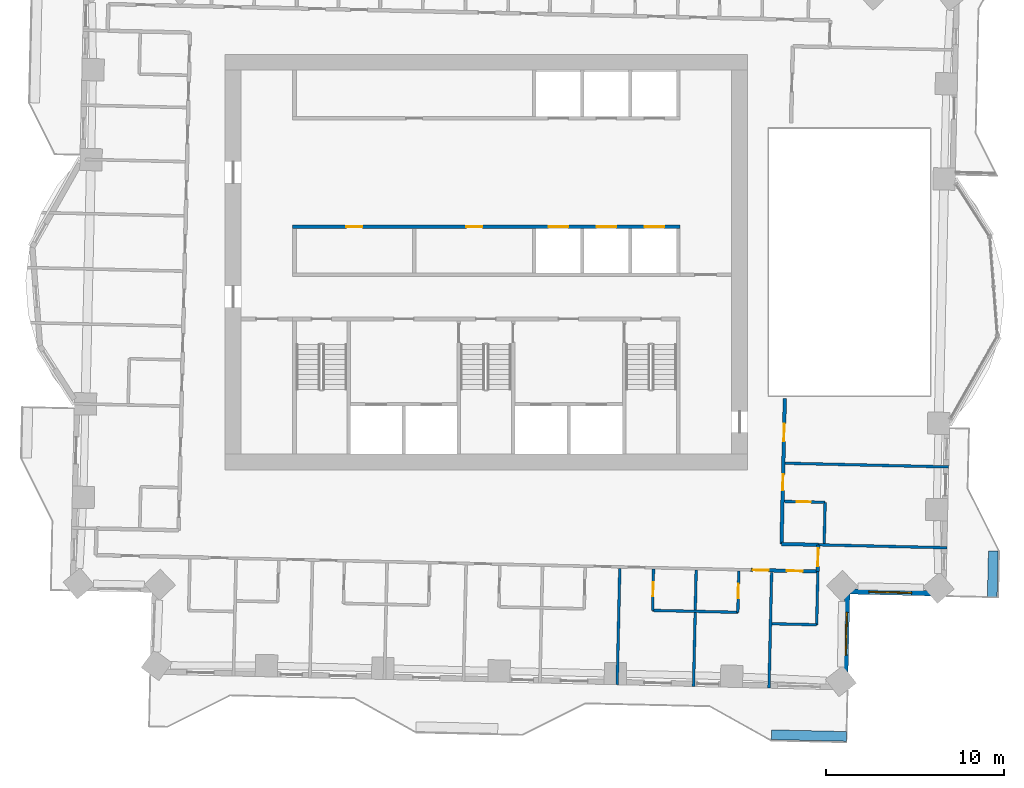
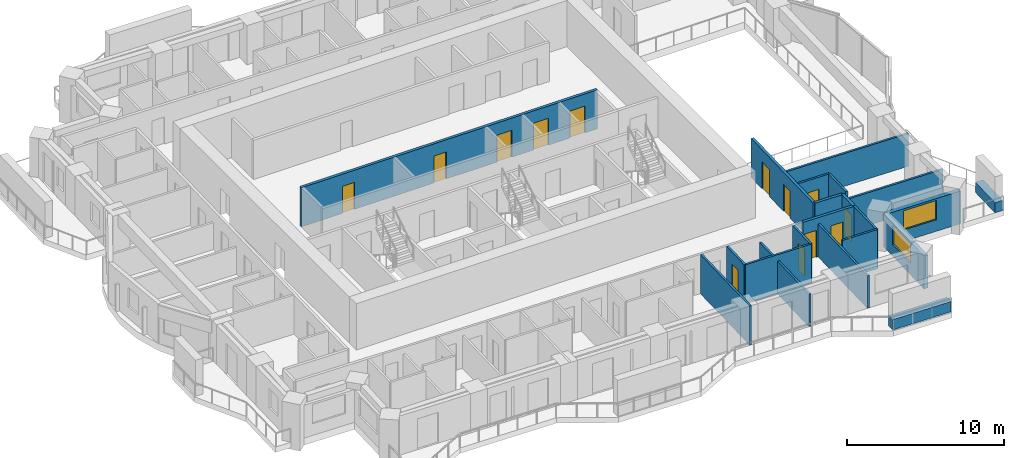
# One storey, part 7 of 15: 21 walls, 13 doors, 2 windows, 15 openings.
"""IFC4 building model written with IfcOpenShell, lengths in metres."""

from ifc_helpers import new_model, si_unit, direction, frame, frame_2d, origin, place, context, subcontext, project, spatial, rectangle, extrude, material, layer, layer_set, type_object, element, fill, save


model = new_model("IFC4")

# Units and contexts
model_context = context("Model", 3, precision=1e-05, world=origin(), true_north=direction((0.0, 1.0)))
body_context = subcontext(model_context, "Body", "Model", "MODEL_VIEW")
ifc_project = project(units=[si_unit("LENGTHUNIT", "METRE"), si_unit("AREAUNIT", "SQUARE_METRE"), si_unit("VOLUMEUNIT", "CUBIC_METRE"), si_unit("PLANEANGLEUNIT", "RADIAN"), si_unit("MASSUNIT", "GRAM", prefix="KILO")], contexts=[model_context])

# Site, building, storey
site_placement = place(None, origin())
site = spatial("IfcSite", under=ifc_project, at=site_placement, CompositionType="ELEMENT")
building_placement = place(site_placement, origin())
building = spatial("IfcBuilding", under=site, at=building_placement, Name="Mangrove Gate Tower", CompositionType="ELEMENT")
storey_placement = place(building_placement, frame((0.0, 0.0, 156.300048828125)))
storey = spatial("IfcBuildingStorey", under=building, at=storey_placement, Name="L39", CompositionType="ELEMENT", Elevation=156.300048828125)

# Wall, openings, doors
ifc_material_1 = material(Name="Concrete C60/75", Category="concrete")
ifc_layer_1 = layer(ifc_material_1, 0.199951171875)
ifc_layer_set_1 = layer_set([ifc_layer_1], Name="Core shaft wall 200 C60/75")
wall_type_1 = type_object("IfcWallType", Name="Core shaft wall 200 C60/75", PredefinedType="SHEAR", material=ifc_layer_set_1)
wall_1_placement = place(storey_placement, frame((-10.89990234375, 2.0, 0.0), z_axis=(0.0, 0.0, 1.0), x_axis=(1.0, 0.0, 0.0)))
wall_1 = element("IfcWall", 1, at=wall_1_placement, inside=storey, type_object=wall_type_1, Name="WALL-L39-CORE-7", PredefinedType="SHEAR", context=body_context, shape_type="SweptSolid", body=[
    extrude(rectangle(XDim=21.7998046875, YDim=0.199951171875, at=frame_2d((10.89990234375, 0.0))), origin(), (0.0, 0.0, 1.0), 3.050048828125),
])
opening_1_placement = place(wall_1_placement, frame((14.39990234375, 0.0, 0.0)))
opening_1 = element("IfcOpeningElement", 2, at=opening_1_placement, cuts=wall_1, Name="Opening LD", PredefinedType="OPENING", context=body_context, shape_type="SweptSolid", body=[
    extrude(rectangle(XDim=1.10009765625, YDim=2.10009765625, at=frame_2d((0.550048828125, 1.050048828125))), frame((0.0, 0.10986328125, 0.0), z_axis=(0.0, -1.0, 0.0), x_axis=(1.0, 0.0, 0.0)), (0.0, 0.0, 1.0), 0.219970703125),
])
opening_2_placement = place(wall_1_placement, frame((17.10009765625, 0.0, 0.0)))
opening_2 = element("IfcOpeningElement", 3, at=opening_2_placement, cuts=wall_1, Name="Opening LD", PredefinedType="OPENING", context=body_context, shape_type="SweptSolid", body=[
    extrude(rectangle(XDim=1.10009765625, YDim=2.10009765625, at=frame_2d((0.550048828125, 1.050048828125))), frame((0.0, 0.10986328125, 0.0), z_axis=(0.0, -1.0, 0.0), x_axis=(1.0, 0.0, 0.0)), (0.0, 0.0, 1.0), 0.219970703125),
])
opening_3_placement = place(wall_1_placement, frame((19.800048828125, 0.0, 0.0)))
opening_3 = element("IfcOpeningElement", 4, at=opening_3_placement, cuts=wall_1, Name="Opening LD", PredefinedType="OPENING", context=body_context, shape_type="SweptSolid", body=[
    extrude(rectangle(XDim=1.10009765625, YDim=2.10009765625, at=frame_2d((0.550048828125, 1.050048828125))), frame((0.0, 0.10986328125, 0.0), z_axis=(0.0, -1.0, 0.0), x_axis=(1.0, 0.0, 0.0)), (0.0, 0.0, 1.0), 0.219970703125),
])
opening_4_placement = place(wall_1_placement, frame((3.02490234375, 0.0, 0.0)))
opening_4 = element("IfcOpeningElement", 5, at=opening_4_placement, cuts=wall_1, Name="Opening KD", PredefinedType="OPENING", context=body_context, shape_type="SweptSolid", body=[
    extrude(rectangle(XDim=0.89990234375, YDim=2.10009765625, at=frame_2d((0.449951171875, 1.050048828125))), frame((0.0, 0.10986328125, 0.0), z_axis=(0.0, -1.0, 0.0), x_axis=(1.0, 0.0, 0.0)), (0.0, 0.0, 1.0), 0.219970703125),
])
opening_5_placement = place(wall_1_placement, frame((9.77490234375, 0.0, 0.0)))
opening_5 = element("IfcOpeningElement", 6, at=opening_5_placement, cuts=wall_1, Name="Opening KD", PredefinedType="OPENING", context=body_context, shape_type="SweptSolid", body=[
    extrude(rectangle(XDim=0.89990234375, YDim=2.10009765625, at=frame_2d((0.449951171875, 1.050048828125))), frame((0.0, 0.10986328125, 0.0), z_axis=(0.0, -1.0, 0.0), x_axis=(1.0, 0.0, 0.0)), (0.0, 0.0, 1.0), 0.219970703125),
])
ifc_material_2 = material(Name="Fire-rated steel door set", Category="steel")
door_type_1 = type_object("IfcDoorType", Name="Core room door FD30S 900x2100", OperationType="SINGLE_SWING_RIGHT", PredefinedType="DOOR", material=ifc_material_2)
door_1_placement = place(opening_4_placement, origin())
door_1 = element("IfcDoor", 7, at=door_1_placement, inside=storey, type_object=door_type_1, Name="Core room door Pantry store", OperationType="SINGLE_SWING_RIGHT", OverallHeight=2.10009765625, OverallWidth=0.89990234375, PredefinedType="DOOR", context=body_context, shape_type="SweptSolid", body=[
    extrude(rectangle(XDim=0.89990234375, YDim=2.10009765625, at=frame_2d((0.449951171875, 1.050048828125))), frame((0.0, 0.02490234375, 0.0), z_axis=(0.0, -1.0, 0.0), x_axis=(1.0, 0.0, 0.0)), (0.0, 0.0, 1.0), 0.050048828125),
])
fill(opening_4, door_1)
door_2_placement = place(opening_5_placement, origin())
door_2 = element("IfcDoor", 8, at=door_2_placement, inside=storey, type_object=door_type_1, Name="Core room door Cleaner's store", OperationType="SINGLE_SWING_RIGHT", OverallHeight=2.10009765625, OverallWidth=0.89990234375, PredefinedType="DOOR", context=body_context, shape_type="SweptSolid", body=[
    extrude(rectangle(XDim=0.89990234375, YDim=2.10009765625, at=frame_2d((0.449951171875, 1.050048828125))), frame((0.0, 0.02490234375, 0.0), z_axis=(0.0, -1.0, 0.0), x_axis=(1.0, 0.0, 0.0)), (0.0, 0.0, 1.0), 0.050048828125),
])
fill(opening_5, door_2)
ifc_material_3 = material(Name="Stainless steel 316", Category="steel")
door_type_2 = type_object("IfcDoorType", Name="Lift landing door 1100x2100", OperationType="SLIDING_TO_LEFT", PredefinedType="DOOR", material=ifc_material_3)
door_3_placement = place(opening_1_placement, origin())
door_3 = element("IfcDoor", 9, at=door_3_placement, inside=storey, type_object=door_type_2, Name="Landing door LD M01", OperationType="SLIDING_TO_LEFT", OverallHeight=2.10009765625, OverallWidth=1.10009765625, PredefinedType="DOOR", context=body_context, shape_type="SweptSolid", body=[
    extrude(rectangle(XDim=1.10009765625, YDim=2.10009765625, at=frame_2d((0.550048828125, 1.050048828125))), frame((0.0, 0.02490234375, 0.0), z_axis=(0.0, -1.0, 0.0), x_axis=(1.0, 0.0, 0.0)), (0.0, 0.0, 1.0), 0.050048828125),
])
fill(opening_1, door_3)
door_4_placement = place(opening_2_placement, origin())
door_4 = element("IfcDoor", 10, at=door_4_placement, inside=storey, type_object=door_type_2, Name="Landing door LD M02", OperationType="SLIDING_TO_LEFT", OverallHeight=2.10009765625, OverallWidth=1.10009765625, PredefinedType="DOOR", context=body_context, shape_type="SweptSolid", body=[
    extrude(rectangle(XDim=1.10009765625, YDim=2.10009765625, at=frame_2d((0.550048828125, 1.050048828125))), frame((0.0, 0.02490234375, 0.0), z_axis=(0.0, -1.0, 0.0), x_axis=(1.0, 0.0, 0.0)), (0.0, 0.0, 1.0), 0.050048828125),
])
fill(opening_2, door_4)
door_5_placement = place(opening_3_placement, origin())
door_5 = element("IfcDoor", 11, at=door_5_placement, inside=storey, type_object=door_type_2, Name="Landing door LD M03", OperationType="SLIDING_TO_LEFT", OverallHeight=2.10009765625, OverallWidth=1.10009765625, PredefinedType="DOOR", context=body_context, shape_type="SweptSolid", body=[
    extrude(rectangle(XDim=1.10009765625, YDim=2.10009765625, at=frame_2d((0.550048828125, 1.050048828125))), frame((0.0, 0.02490234375, 0.0), z_axis=(0.0, -1.0, 0.0), x_axis=(1.0, 0.0, 0.0)), (0.0, 0.0, 1.0), 0.050048828125),
])
fill(opening_3, door_5)

# Wall, opening, door
ifc_material_4 = material(Name="Gypsum board on steel stud, EI 60", Category="steel")
ifc_layer_2 = layer(ifc_material_4, 0.199951171875)
ifc_layer_set_2 = layer_set([ifc_layer_2], Name="Corridor wall EI 60")
wall_type_2 = type_object("IfcWallType", Name="Corridor wall EI 60", PredefinedType="PARTITIONING", material=ifc_layer_set_2)
wall_2_placement = place(storey_placement, frame((18.64697265625, -17.4150390625, 0.0), z_axis=(0.0, 0.0, 1.0), x_axis=(0.022617910375, 0.999744182344, 0.0)))
wall_2 = element("IfcWall", 12, at=wall_2_placement, inside=storey, type_object=wall_type_2, Name="WALL-L39-025", PredefinedType="PARTITIONING", context=body_context, shape_type="SweptSolid", body=[
    extrude(rectangle(XDim=1.50048828125, YDim=0.199951171875, at=frame_2d((0.750244140625, 0.0))), origin(), (0.0, 0.0, 1.0), 3.050048828125),
])
opening_6_placement = place(wall_2_placement, frame((0.300048828125, 0.0, 0.0)))
opening_6 = element("IfcOpeningElement", 13, at=opening_6_placement, cuts=wall_2, Name="Opening AD", PredefinedType="OPENING", context=body_context, shape_type="SweptSolid", body=[
    extrude(rectangle(XDim=1.0, YDim=2.10009765625, at=frame_2d((0.5, 1.050048828125))), frame((0.0, 0.10986328125, 0.0), z_axis=(0.0, -1.0, 0.0), x_axis=(1.0, 0.0, 0.0)), (0.0, 0.0, 1.0), 0.219970703125),
])
ifc_material_5 = material(Name="Timber door leaf", Category="wood")
door_type_3 = type_object("IfcDoorType", Name="Amenity door 1000", OperationType="SINGLE_SWING_LEFT", PredefinedType="DOOR", material=ifc_material_5)
door_6_placement = place(opening_6_placement, origin())
door_6 = element("IfcDoor", 14, at=door_6_placement, inside=storey, type_object=door_type_3, Name="DOOR-L39-STU-c3a", OperationType="SINGLE_SWING_RIGHT", OverallHeight=2.10009765625, OverallWidth=1.0, PredefinedType="DOOR", context=body_context, shape_type="SweptSolid", body=[
    extrude(rectangle(XDim=1.0, YDim=2.10009765625, at=frame_2d((0.5, 1.050048828125))), frame((0.0, 0.02490234375, 0.0), z_axis=(0.0, -1.0, 0.0), x_axis=(1.0, 0.0, 0.0)), (0.0, 0.0, 1.0), 0.050048828125),
])
fill(opening_6, door_6)

# Wall, openings, doors
wall_3_placement = place(storey_placement, frame((14.8798828125, -17.324951171875, 0.0), z_axis=(0.0, 0.0, 1.0), x_axis=(0.999739622, -0.022818593369, 0.0)))
wall_3 = element("IfcWall", 15, at=wall_3_placement, inside=storey, type_object=wall_type_2, Name="WALL-L39-028", PredefinedType="PARTITIONING", context=body_context, shape_type="SweptSolid", body=[
    extrude(rectangle(XDim=3.76611328125, YDim=0.199951171875, at=frame_2d((1.883056640625, 0.0))), origin(), (0.0, 0.0, 1.0), 3.050048828125),
])
opening_7_placement = place(wall_3_placement, frame((0.10009765625, 0.0, 0.0)))
opening_7 = element("IfcOpeningElement", 16, at=opening_7_placement, cuts=wall_3, Name="Opening BD", PredefinedType="OPENING", context=body_context, shape_type="SweptSolid", body=[
    extrude(rectangle(XDim=0.89990234375, YDim=2.10009765625, at=frame_2d((0.449951171875, 1.050048828125))), frame((0.0, 0.10986328125, 0.0), z_axis=(0.0, -1.0, 0.0), x_axis=(1.0, 0.0, 0.0)), (0.0, 0.0, 1.0), 0.219970703125),
])
opening_8_placement = place(wall_3_placement, frame((2.028076171875, 0.0, 0.0)))
opening_8 = element("IfcOpeningElement", 17, at=opening_8_placement, cuts=wall_3, Name="Opening SD", PredefinedType="OPENING", context=body_context, shape_type="SweptSolid", body=[
    extrude(rectangle(XDim=0.89990234375, YDim=2.10009765625, at=frame_2d((0.449951171875, 1.050048828125))), frame((0.0, 0.10986328125, 0.0), z_axis=(0.0, -1.0, 0.0), x_axis=(1.0, 0.0, 0.0)), (0.0, 0.0, 1.0), 0.219970703125),
])
ifc_material_6 = material(Name="Timber door leaf", Category="wood")
door_type_4 = type_object("IfcDoorType", Name="Bedroom door 900", OperationType="SINGLE_SWING_LEFT", PredefinedType="DOOR", material=ifc_material_6)
door_7_placement = place(opening_7_placement, origin())
door_7 = element("IfcDoor", 18, at=door_7_placement, inside=storey, type_object=door_type_4, Name="DOOR-L39-BED-c307", OperationType="SINGLE_SWING_LEFT", OverallHeight=2.10009765625, OverallWidth=0.89990234375, PredefinedType="DOOR", context=body_context, shape_type="SweptSolid", body=[
    extrude(rectangle(XDim=0.89990234375, YDim=2.10009765625, at=frame_2d((0.449951171875, 1.050048828125))), frame((0.0, 0.02490234375, 0.0), z_axis=(0.0, -1.0, 0.0), x_axis=(1.0, 0.0, 0.0)), (0.0, 0.0, 1.0), 0.050048828125),
])
fill(opening_7, door_7)
ifc_material_7 = material(Name="Timber door leaf", Category="wood")
door_type_5 = type_object("IfcDoorType", Name="Service room door 900", OperationType="SINGLE_SWING_LEFT", PredefinedType="DOOR", material=ifc_material_7)
door_8_placement = place(opening_8_placement, origin())
door_8 = element("IfcDoor", 19, at=door_8_placement, inside=storey, type_object=door_type_5, Name="DOOR-L39-AWC-c3a", OperationType="SINGLE_SWING_RIGHT", OverallHeight=2.10009765625, OverallWidth=0.89990234375, PredefinedType="DOOR", context=body_context, shape_type="SweptSolid", body=[
    extrude(rectangle(XDim=0.89990234375, YDim=2.10009765625, at=frame_2d((0.449951171875, 1.050048828125))), frame((0.0, 0.02490234375, 0.0), z_axis=(0.0, -1.0, 0.0), x_axis=(1.0, 0.0, 0.0)), (0.0, 0.0, 1.0), 0.050048828125),
])
fill(opening_8, door_8)

wall_4_placement = place(storey_placement, frame((16.611083984375, -15.867919921875, 0.0), z_axis=(0.0, 0.0, 1.0), x_axis=(0.022698399288, 0.999742358145, 0.0)))
wall_4 = element("IfcWall", 20, at=wall_4_placement, inside=storey, type_object=wall_type_2, Name="WALL-L39-031", PredefinedType="PARTITIONING", context=body_context, shape_type="SweptSolid", body=[
    extrude(rectangle(XDim=8.196044921875, YDim=0.199951171875, at=frame_2d((4.09814453125, 0.0))), origin(), (0.0, 0.0, 1.0), 3.050048828125),
])
opening_9_placement = place(wall_4_placement, frame((3.02490234375, 0.0, 0.0)))
opening_9 = element("IfcOpeningElement", 21, at=opening_9_placement, cuts=wall_4, Name="Opening BD", PredefinedType="OPENING", context=body_context, shape_type="SweptSolid", body=[
    extrude(rectangle(XDim=0.89990234375, YDim=2.10009765625, at=frame_2d((0.449951171875, 1.050048828125))), frame((0.0, 0.10986328125, 0.0), z_axis=(0.0, -1.0, 0.0), x_axis=(1.0, 0.0, 0.0)), (0.0, 0.0, 1.0), 0.219970703125),
])
opening_10_placement = place(wall_4_placement, frame((5.785888671875, 0.0, 0.0)))
opening_10 = element("IfcOpeningElement", 22, at=opening_10_placement, cuts=wall_4, Name="Opening AD", PredefinedType="OPENING", context=body_context, shape_type="SweptSolid", body=[
    extrude(rectangle(XDim=1.0, YDim=2.10009765625, at=frame_2d((0.5, 1.050048828125))), frame((0.0, 0.10986328125, 0.0), z_axis=(0.0, -1.0, 0.0), x_axis=(1.0, 0.0, 0.0)), (0.0, 0.0, 1.0), 0.219970703125),
])
door_9_placement = place(opening_10_placement, origin())
door_9 = element("IfcDoor", 23, at=door_9_placement, inside=storey, type_object=door_type_3, Name="DOOR-L39-STU-c3b", OperationType="SINGLE_SWING_LEFT", OverallHeight=2.10009765625, OverallWidth=1.0, PredefinedType="DOOR", context=body_context, shape_type="SweptSolid", body=[
    extrude(rectangle(XDim=1.0, YDim=2.10009765625, at=frame_2d((0.5, 1.050048828125))), frame((0.0, 0.02490234375, 0.0), z_axis=(0.0, -1.0, 0.0), x_axis=(1.0, 0.0, 0.0)), (0.0, 0.0, 1.0), 0.050048828125),
])
fill(opening_10, door_9)
door_10_placement = place(opening_9_placement, origin())
door_10 = element("IfcDoor", 24, at=door_10_placement, inside=storey, type_object=door_type_4, Name="DOOR-L39-BED-c308", OperationType="SINGLE_SWING_RIGHT", OverallHeight=2.10009765625, OverallWidth=0.89990234375, PredefinedType="DOOR", context=body_context, shape_type="SweptSolid", body=[
    extrude(rectangle(XDim=0.89990234375, YDim=2.10009765625, at=frame_2d((0.449951171875, 1.050048828125))), frame((0.0, 0.02490234375, 0.0), z_axis=(0.0, -1.0, 0.0), x_axis=(1.0, 0.0, 0.0)), (0.0, 0.0, 1.0), 0.050048828125),
])
fill(opening_9, door_10)

# Wall
wall_5_placement = place(storey_placement, frame((16.612060546875, -15.864013671875, 0.0), z_axis=(0.0, 0.0, 1.0), x_axis=(0.999742931749, -0.02267312106, 0.0)))
element("IfcWall", 25, at=wall_5_placement, inside=storey, type_object=wall_type_2, Name="WALL-L39-035", PredefinedType="PARTITIONING", context=body_context, shape_type="SweptSolid", body=[
    extrude(rectangle(XDim=2.0673828125, YDim=0.199951171875, at=frame_2d((1.03369140625, 0.0))), origin(), (0.0, 0.0, 1.0), 3.050048828125),
])

# Wall, opening, window
ifc_material_8 = material(Name="Limestone", Category="masonry")
ifc_layer_3 = layer(ifc_material_8, 0.0400390625, Name="Limestone cladding")
ifc_material_9 = material(Name="Ventilated air gap")
ifc_layer_4 = layer(ifc_material_9, 0.0400390625, Name="Ventilated cavity")
ifc_material_10 = material(Name="Mineral wool insulation")
ifc_layer_5 = layer(ifc_material_10, 0.06005859375, Name="Insulation")
ifc_material_11 = material(Name="Breather membrane")
ifc_layer_6 = layer(ifc_material_11, 0.001953125, Name="Breather membrane")
ifc_material_12 = material(Name="Concrete C20/25 blockwork", Category="masonry")
ifc_layer_7 = layer(ifc_material_12, 0.14990234375, Name="Blockwork backing wall")
ifc_material_13 = material(Name="Gypsum plaster")
ifc_layer_8 = layer(ifc_material_13, 0.008056640625, Name="Internal plaster")
ifc_layer_set_3 = layer_set([ifc_layer_3, ifc_layer_4, ifc_layer_5, ifc_layer_6, ifc_layer_7, ifc_layer_8], Name="External wall 300 limestone cladding")
wall_type_3 = type_object("IfcWallType", Name="External wall 300 limestone cladding", PredefinedType="SOLIDWALL", material=ifc_layer_set_3)
wall_6_placement = place(storey_placement, frame((20.18896484375, -23.927001953125, 0.0), z_axis=(0.0, 0.0, 1.0), x_axis=(0.022789195272, 0.999740292565, 0.0)))
wall_6 = element("IfcWall", 26, at=wall_6_placement, inside=storey, type_object=wall_type_3, Name="WALL-L39-E14", PredefinedType="SOLIDWALL", context=body_context, shape_type="SweptSolid", body=[
    extrude(rectangle(XDim=5.3994140625, YDim=0.300048828125, at=frame_2d((2.69970703125, 0.0))), origin(), (0.0, 0.0, 1.0), 2.550048828125),
])
opening_11_placement = place(wall_6_placement, frame((1.81005859375, 0.0, 0.89990234375)))
opening_11 = element("IfcOpeningElement", 27, at=opening_11_placement, cuts=wall_6, Name="Opening W2", PredefinedType="OPENING", context=body_context, shape_type="SweptSolid", body=[
    extrude(rectangle(XDim=2.39990234375, YDim=1.5, at=frame_2d((1.199951171875, 0.75))), frame((0.0, 0.159912109375, 0.0), z_axis=(0.0, -1.0, 0.0), x_axis=(1.0, 0.0, 0.0)), (0.0, 0.0, 1.0), 0.320068359375),
])
ifc_material_14 = material(Name="Aluminium frame with double-glazed low-e glass", Category="aluminium")
window_type = type_object("IfcWindowType", Name="Corner room window 2400x1500", PartitioningType="DOUBLE_PANEL_VERTICAL", PredefinedType="WINDOW", material=ifc_material_14)
window_1_placement = place(opening_11_placement, origin())
window_1 = element("IfcWindow", 28, at=window_1_placement, inside=storey, type_object=window_type, Name="WIN-L39-E14-1", OverallHeight=1.5, OverallWidth=2.39990234375, PartitioningType="DOUBLE_PANEL_VERTICAL", PredefinedType="WINDOW", context=body_context, shape_type="SweptSolid", body=[
    extrude(rectangle(XDim=2.39990234375, YDim=1.5, at=frame_2d((1.199951171875, 0.75))), frame((0.0, 0.030029296875, 0.0), z_axis=(0.0, -1.0, 0.0), x_axis=(1.0, 0.0, 0.0)), (0.0, 0.0, 1.0), 0.06005859375),
])
fill(opening_11, window_1)

wall_7_placement = place(storey_placement, frame((20.31201171875, -18.529052734375, 0.0), z_axis=(0.0, 0.0, 1.0), x_axis=(0.999745417973, -0.02256322766, 0.0)))
wall_7 = element("IfcWall", 29, at=wall_7_placement, inside=storey, type_object=wall_type_3, Name="WALL-L39-S15", PredefinedType="SOLIDWALL", context=body_context, shape_type="SweptSolid", body=[
    extrude(rectangle(XDim=5.3994140625, YDim=0.300048828125, at=frame_2d((2.69970703125, 0.0))), origin(), (0.0, 0.0, 1.0), 2.550048828125),
])
opening_12_placement = place(wall_7_placement, frame((1.219970703125, 0.0, 0.89990234375)))
opening_12 = element("IfcOpeningElement", 30, at=opening_12_placement, cuts=wall_7, Name="Opening W2", PredefinedType="OPENING", context=body_context, shape_type="SweptSolid", body=[
    extrude(rectangle(XDim=2.39990234375, YDim=1.5, at=frame_2d((1.199951171875, 0.75))), frame((0.0, 0.159912109375, 0.0), z_axis=(0.0, -1.0, 0.0), x_axis=(1.0, 0.0, 0.0)), (0.0, 0.0, 1.0), 0.320068359375),
])
window_2_placement = place(opening_12_placement, origin())
window_2 = element("IfcWindow", 31, at=window_2_placement, inside=storey, type_object=window_type, Name="WIN-L39-S15-1", OverallHeight=1.5, OverallWidth=2.39990234375, PartitioningType="DOUBLE_PANEL_VERTICAL", PredefinedType="WINDOW", context=body_context, shape_type="SweptSolid", body=[
    extrude(rectangle(XDim=2.39990234375, YDim=1.5, at=frame_2d((1.199951171875, 0.75))), frame((0.0, 0.030029296875, 0.0), z_axis=(0.0, -1.0, 0.0), x_axis=(1.0, 0.0, 0.0)), (0.0, 0.0, 1.0), 0.06005859375),
])
fill(opening_12, window_2)

# Walls
ifc_material_15 = material(Name="Gypsum board on steel stud, EI 60", Category="steel")
ifc_layer_9 = layer(ifc_material_15, 0.14990234375)
ifc_layer_set_4 = layer_set([ifc_layer_9], Name="Party wall 150 EI 60")
wall_type_4 = type_object("IfcWallType", Name="Party wall 150 EI 60", PredefinedType="PARTITIONING", material=ifc_layer_set_4)
wall_8_placement = place(storey_placement, frame((7.35888671875, -23.785888671875, 0.0), z_axis=(0.0, 0.0, 1.0), x_axis=(0.022772202332, 0.999740679777, 0.0)))
element("IfcWall", 32, at=wall_8_placement, inside=storey, type_object=wall_type_4, Name="WALL-L39-006", PredefinedType="PARTITIONING", context=body_context, shape_type="SweptSolid", body=[
    extrude(rectangle(XDim=6.550537109375, YDim=0.14990234375, at=frame_2d((3.275390625, 0.0))), origin(), (0.0, 0.0, 1.0), 3.050048828125),
])
wall_9_placement = place(storey_placement, frame((11.657958984375, -23.884033203125, 0.0), z_axis=(0.0, 0.0, 1.0), x_axis=(0.022734104141, 0.999741546855, 0.0)))
element("IfcWall", 33, at=wall_9_placement, inside=storey, type_object=wall_type_4, Name="WALL-L39-007", PredefinedType="PARTITIONING", context=body_context, shape_type="SweptSolid", body=[
    extrude(rectangle(XDim=6.55078125, YDim=0.14990234375, at=frame_2d((3.275390625, 0.0))), origin(), (0.0, 0.0, 1.0), 2.550048828125),
])
wall_10_placement = place(storey_placement, frame((15.906982421875, -23.97998046875, 0.0), z_axis=(0.0, 0.0, 1.0), x_axis=(0.022672114006, 0.999742954587, 0.0)))
element("IfcWall", 34, at=wall_10_placement, inside=storey, type_object=wall_type_4, Name="WALL-L39-008", PredefinedType="PARTITIONING", context=body_context, shape_type="SweptSolid", body=[
    extrude(rectangle(XDim=6.525634765625, YDim=0.14990234375, at=frame_2d((3.2626953125, 0.0))), origin(), (0.0, 0.0, 1.0), 2.550048828125),
])
wall_11_placement = place(storey_placement, frame((18.589111328125, -20.4140625, 0.0), z_axis=(0.0, 0.0, 1.0), x_axis=(0.022625271604, 0.999744015778, 0.0)))
element("IfcWall", 35, at=wall_11_placement, inside=storey, type_object=wall_type_4, Name="WALL-L39-010", PredefinedType="PARTITIONING", context=body_context, shape_type="SweptSolid", body=[
    extrude(rectangle(XDim=2.999755859375, YDim=0.14990234375, at=frame_2d((1.5, 0.0))), origin(), (0.0, 0.0, 1.0), 3.050048828125),
])
wall_12_placement = place(storey_placement, frame((16.06396484375, -20.35302734375, 0.0), z_axis=(0.0, 0.0, 1.0), x_axis=(0.999746356616, -0.022521599255, 0.0)))
element("IfcWall", 36, at=wall_12_placement, inside=storey, type_object=wall_type_4, Name="WALL-L39-012", PredefinedType="PARTITIONING", context=body_context, shape_type="SweptSolid", body=[
    extrude(rectangle(XDim=2.52587890625, YDim=0.14990234375, at=frame_2d((1.262939453125, 0.0))), origin(), (0.0, 0.0, 1.0), 3.050048828125),
])

# Wall, opening, door
wall_13_placement = place(storey_placement, frame((9.35498046875, -19.60498046875, 0.0), z_axis=(0.0, 0.0, 1.0), x_axis=(0.022361308448, 0.999749954681, 0.0)))
wall_13 = element("IfcWall", 37, at=wall_13_placement, inside=storey, type_object=wall_type_4, Name="WALL-L39-018", PredefinedType="PARTITIONING", context=body_context, shape_type="SweptSolid", body=[
    extrude(rectangle(XDim=2.325439453125, YDim=0.14990234375, at=frame_2d((1.16259765625, 0.0))), origin(), (0.0, 0.0, 1.0), 3.050048828125),
])
opening_13_placement = place(wall_13_placement, frame((0.800048828125, 0.0, 0.0)))
opening_13 = element("IfcOpeningElement", 38, at=opening_13_placement, cuts=wall_13, Name="Opening ED", PredefinedType="OPENING", context=body_context, shape_type="SweptSolid", body=[
    extrude(rectangle(XDim=0.800048828125, YDim=2.10009765625, at=frame_2d((0.39990234375, 1.050048828125))), frame((0.0, 0.0849609375, 0.0), z_axis=(0.0, -1.0, 0.0), x_axis=(1.0, 0.0, 0.0)), (0.0, 0.0, 1.0), 0.169921875),
])
ifc_material_16 = material(Name="Timber door leaf", Category="wood")
door_type_6 = type_object("IfcDoorType", Name="En-suite door 800", OperationType="SINGLE_SWING_LEFT", PredefinedType="DOOR", material=ifc_material_16)
door_11_placement = place(opening_13_placement, origin())
door_11 = element("IfcDoor", 39, at=door_11_placement, inside=storey, type_object=door_type_6, Name="DOOR-L39-ENS-c206", OperationType="SINGLE_SWING_RIGHT", OverallHeight=2.10009765625, OverallWidth=0.800048828125, PredefinedType="DOOR", context=body_context, shape_type="SweptSolid", body=[
    extrude(rectangle(XDim=0.800048828125, YDim=2.10009765625, at=frame_2d((0.39990234375, 1.050048828125))), frame((0.0, 0.02490234375, 0.0), z_axis=(0.0, -1.0, 0.0), x_axis=(1.0, 0.0, 0.0)), (0.0, 0.0, 1.0), 0.050048828125),
])
fill(opening_13, door_11)

wall_14_placement = place(storey_placement, frame((14.153076171875, -19.712890625, 0.0), z_axis=(0.0, 0.0, 1.0), x_axis=(0.02279059109, 0.999740260747, 0.0)))
wall_14 = element("IfcWall", 40, at=wall_14_placement, inside=storey, type_object=wall_type_4, Name="WALL-L39-019", PredefinedType="PARTITIONING", context=body_context, shape_type="SweptSolid", body=[
    extrude(rectangle(XDim=2.324462890625, YDim=0.14990234375, at=frame_2d((1.162109375, 0.0))), origin(), (0.0, 0.0, 1.0), 3.050048828125),
])
opening_14_placement = place(wall_14_placement, frame((0.800048828125, 0.0, 0.0)))
opening_14 = element("IfcOpeningElement", 41, at=opening_14_placement, cuts=wall_14, Name="Opening ED", PredefinedType="OPENING", context=body_context, shape_type="SweptSolid", body=[
    extrude(rectangle(XDim=0.800048828125, YDim=2.10009765625, at=frame_2d((0.39990234375, 1.050048828125))), frame((0.0, 0.0849609375, 0.0), z_axis=(0.0, -1.0, 0.0), x_axis=(1.0, 0.0, 0.0)), (0.0, 0.0, 1.0), 0.169921875),
])
door_12_placement = place(opening_14_placement, origin())
door_12 = element("IfcDoor", 42, at=door_12_placement, inside=storey, type_object=door_type_6, Name="DOOR-L39-ENS-c307", OperationType="SINGLE_SWING_LEFT", OverallHeight=2.10009765625, OverallWidth=0.800048828125, PredefinedType="DOOR", context=body_context, shape_type="SweptSolid", body=[
    extrude(rectangle(XDim=0.800048828125, YDim=2.10009765625, at=frame_2d((0.39990234375, 1.050048828125))), frame((0.0, 0.02490234375, 0.0), z_axis=(0.0, -1.0, 0.0), x_axis=(1.0, 0.0, 0.0)), (0.0, 0.0, 1.0), 0.050048828125),
])
fill(opening_14, door_12)

# Walls
wall_15_placement = place(storey_placement, frame((9.35498046875, -19.60107421875, 0.0), z_axis=(0.0, 0.0, 1.0), x_axis=(0.999747294078, -0.022479946278, 0.0)))
element("IfcWall", 43, at=wall_15_placement, inside=storey, type_object=wall_type_4, Name="WALL-L39-023", PredefinedType="PARTITIONING", context=body_context, shape_type="SweptSolid", body=[
    extrude(rectangle(XDim=4.80029296875, YDim=0.14990234375, at=frame_2d((2.400146484375, 0.0))), origin(), (0.0, 0.0, 1.0), 3.050048828125),
])
wall_16_placement = place(storey_placement, frame((19.011962890625, -15.847900390625, 0.0), z_axis=(0.0, 0.0, 1.0), x_axis=(0.022781023197, 0.999740478815, 0.0)))
element("IfcWall", 44, at=wall_16_placement, inside=storey, type_object=wall_type_4, Name="WALL-L39-032", PredefinedType="PARTITIONING", context=body_context, shape_type="SweptSolid", body=[
    extrude(rectangle(XDim=2.325439453125, YDim=0.14990234375, at=frame_2d((1.16259765625, 0.0))), origin(), (0.0, 0.0, 1.0), 3.050048828125),
])
wall_17_placement = place(storey_placement, frame((18.675048828125, -15.910888671875, 0.0), z_axis=(0.0, 0.0, 1.0), x_axis=(0.999743624132, -0.022642570706, 0.0)))
element("IfcWall", 45, at=wall_17_placement, inside=storey, type_object=wall_type_4, Name="WALL-L39-036", PredefinedType="PARTITIONING", context=body_context, shape_type="SweptSolid", body=[
    extrude(rectangle(XDim=7.245849609375, YDim=0.14990234375, at=frame_2d((3.623046875, 0.0))), origin(), (0.0, 0.0, 1.0), 2.550048828125),
])

# Wall, opening, door
wall_18_placement = place(storey_placement, frame((16.76708984375, -13.467041015625, 0.0), z_axis=(0.0, 0.0, 1.0), x_axis=(0.999744241736, -0.022615284993, 0.0)))
wall_18 = element("IfcWall", 46, at=wall_18_placement, inside=storey, type_object=wall_type_4, Name="WALL-L39-038", PredefinedType="PARTITIONING", context=body_context, shape_type="SweptSolid", body=[
    extrude(rectangle(XDim=2.29931640625, YDim=0.14990234375, at=frame_2d((1.149658203125, 0.0))), origin(), (0.0, 0.0, 1.0), 3.050048828125),
])
opening_15_placement = place(wall_18_placement, frame((0.699951171875, 0.0, 0.0)))
opening_15 = element("IfcOpeningElement", 47, at=opening_15_placement, cuts=wall_18, Name="Opening ED", PredefinedType="OPENING", context=body_context, shape_type="SweptSolid", body=[
    extrude(rectangle(XDim=0.800048828125, YDim=2.10009765625, at=frame_2d((0.39990234375, 1.050048828125))), frame((0.0, 0.0849609375, 0.0), z_axis=(0.0, -1.0, 0.0), x_axis=(1.0, 0.0, 0.0)), (0.0, 0.0, 1.0), 0.169921875),
])
door_13_placement = place(opening_15_placement, origin())
door_13 = element("IfcDoor", 48, at=door_13_placement, inside=storey, type_object=door_type_6, Name="DOOR-L39-ENS-c308", OperationType="SINGLE_SWING_RIGHT", OverallHeight=2.10009765625, OverallWidth=0.800048828125, PredefinedType="DOOR", context=body_context, shape_type="SweptSolid", body=[
    extrude(rectangle(XDim=0.800048828125, YDim=2.10009765625, at=frame_2d((0.39990234375, 1.050048828125))), frame((0.0, 0.02490234375, 0.0), z_axis=(0.0, -1.0, 0.0), x_axis=(1.0, 0.0, 0.0)), (0.0, 0.0, 1.0), 0.050048828125),
])
fill(opening_15, door_13)

# Walls
wall_19_placement = place(storey_placement, frame((16.81591796875, -11.318115234375, 0.0), z_axis=(0.0, 0.0, 1.0), x_axis=(0.999742437445, -0.022694906292, 0.0)))
element("IfcWall", 49, at=wall_19_placement, inside=storey, type_object=wall_type_4, Name="WALL-L39-039", PredefinedType="PARTITIONING", context=body_context, shape_type="SweptSolid", body=[
    extrude(rectangle(XDim=9.20849609375, YDim=0.14990234375, at=frame_2d((4.604248046875, 0.0))), origin(), (0.0, 0.0, 1.0), 2.550048828125),
])
ifc_material_17 = material(Name="Concrete C32/40", Category="concrete")
ifc_layer_10 = layer(ifc_material_17, 0.199951171875, Name="Planter trough wall")
ifc_material_18 = material(Name="Bituminous waterproofing membrane")
ifc_layer_11 = layer(ifc_material_18, 0.0048828125, Name="Waterproofing")
ifc_material_19 = material(Name="Drainage board and gravel")
ifc_layer_12 = layer(ifc_material_19, 0.044921875, Name="Drainage layer")
ifc_material_20 = material(Name="Planting soil")
ifc_layer_13 = layer(ifc_material_20, 0.300048828125, Name="Growing medium")
ifc_layer_set_5 = layer_set([ifc_layer_10, ifc_layer_11, ifc_layer_12, ifc_layer_13], Name="Planter wall 550 C32/40")
wall_type_5 = type_object("IfcWallType", Name="Planter wall 550 C32/40", PredefinedType="USERDEFINED", material=ifc_layer_set_5)
wall_20_placement = place(storey_placement, frame((28.470947265625, -18.864013671875, 0.0), z_axis=(0.0, 0.0, 1.0), x_axis=(0.022725671683, 0.999741738574, 0.0)))
element("IfcWall", 50, at=wall_20_placement, inside=storey, type_object=wall_type_5, Name="PLANTER L39 E0.1", ObjectType="PLANTER", PredefinedType="USERDEFINED", context=body_context, shape_type="SweptSolid", body=[
    extrude(rectangle(XDim=2.599853515625, YDim=0.550048828125, at=frame_2d((1.2998046875, 0.0))), origin(), (0.0, 0.0, 1.0), 0.800048828125),
])
wall_21_placement = place(storey_placement, frame((16.037109375, -26.59912109375, 0.0), z_axis=(0.0, 0.0, 1.0), x_axis=(0.999743912282, -0.022629844346, 0.0)))
element("IfcWall", 51, at=wall_21_placement, inside=storey, type_object=wall_type_5, Name="PLANTER L39 S1.1", ObjectType="PLANTER", PredefinedType="USERDEFINED", context=body_context, shape_type="SweptSolid", body=[
    extrude(rectangle(XDim=4.23974609375, YDim=0.550048828125, at=frame_2d((2.119873046875, 0.0))), origin(), (0.0, 0.0, 1.0), 0.800048828125),
])

save(model, "model.ifc")
